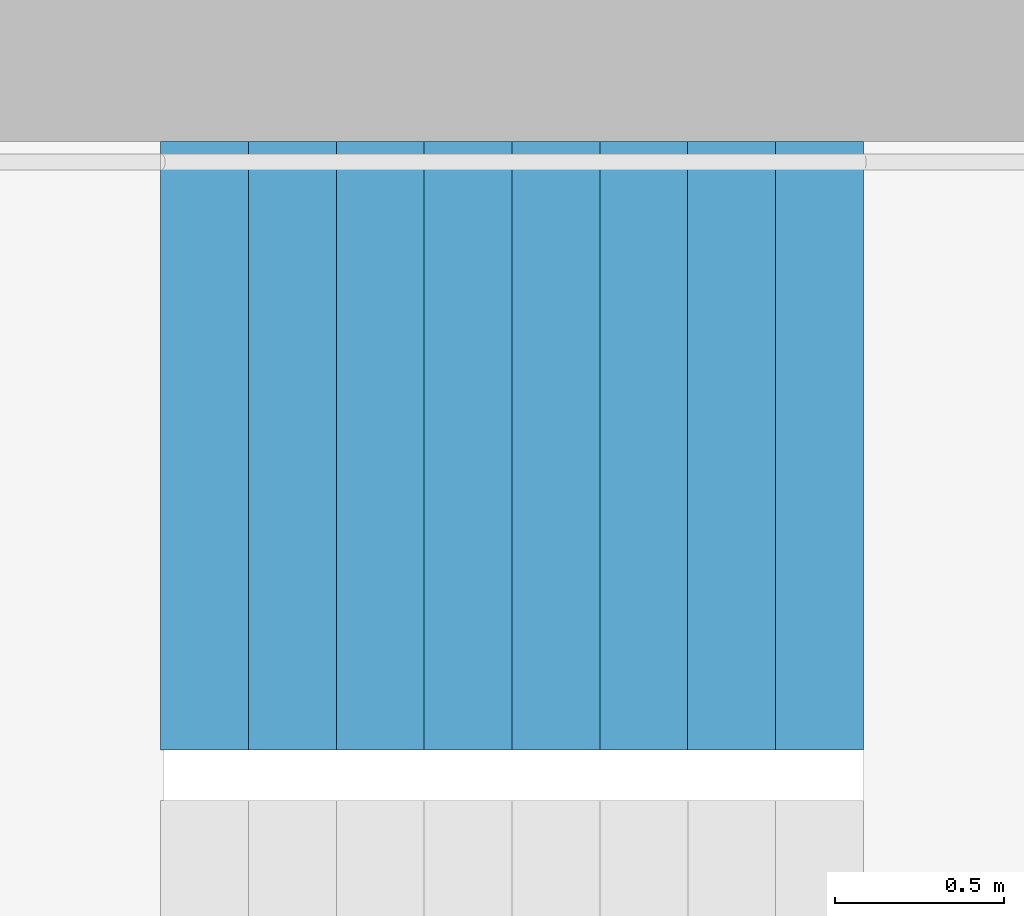
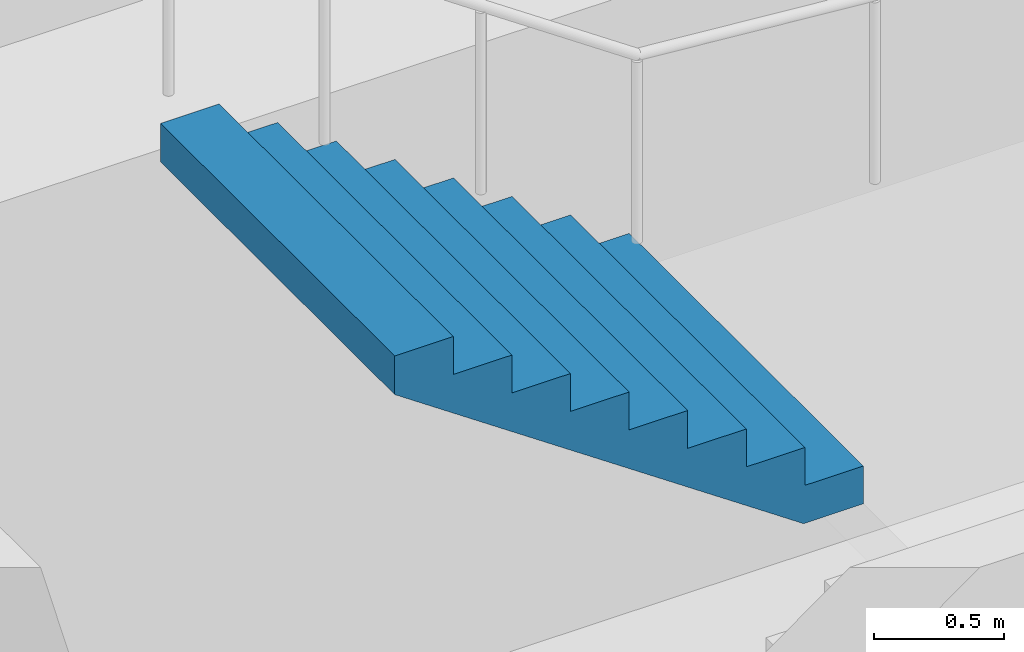
# One storey, part 21 of 26: 1 stair flight, 1 element without a shape of its own.
"""IFC4 building model written with IfcOpenShell, lengths in metres."""

from ifc_helpers import new_model, si_unit, direction, frame, origin, place, context, subcontext, project, spatial, triangles, material, type_object, element, aggregate, save


model = new_model("IFC4")

# Units and contexts
model_context = context("Model", 3, precision=1e-05, world=origin(), true_north=direction((0.0, 1.0)))
body_context = subcontext(model_context, "Body", "Model", "MODEL_VIEW")
ifc_project = project(units=[si_unit("LENGTHUNIT", "METRE"), si_unit("AREAUNIT", "SQUARE_METRE"), si_unit("VOLUMEUNIT", "CUBIC_METRE"), si_unit("PLANEANGLEUNIT", "RADIAN"), si_unit("MASSUNIT", "GRAM", prefix="KILO")], contexts=[model_context])

# Site, building, storey
site_placement = place(None, origin())
site = spatial("IfcSite", under=ifc_project, at=site_placement, CompositionType="ELEMENT")
building_placement = place(site_placement, origin())
building = spatial("IfcBuilding", under=site, at=building_placement, Name="Hakoniwa Tower and Hamabe Station Hall", CompositionType="ELEMENT")
storey_placement = place(building_placement, frame((0.0, 0.0, 172.60009765625)))
storey = spatial("IfcBuildingStorey", under=building, at=storey_placement, Name="L49", CompositionType="ELEMENT", Elevation=172.60009765625)

# Stair, stair flight
ifc_material_1 = material(Name="Concrete C40", Category="concrete")
stair_type = type_object("IfcStairType", Name="ESCAPE STAIR 1800", PredefinedType="HALF_TURN_STAIR", material=ifc_material_1)
stair_placement = place(storey_placement, origin())
stair = element("IfcStair", 1, at=stair_placement, inside=storey, type_object=stair_type, Name="Escape stair ST-1 L49", PredefinedType="HALF_TURN_STAIR")
ifc_material_2 = material(Name="Concrete C40", Category="concrete")
stair_flight_type = type_object("IfcStairFlightType", Name="STAIR FLIGHT 1800", PredefinedType="STRAIGHT", material=ifc_material_2)
stair_flight_placement = place(storey_placement, frame((-22.320068359375, 6.60009765625, 1.599853515625), z_axis=(0.0, 0.0, 1.0), x_axis=(-1.0, 0.0, 0.0)))
stair_flight = element("IfcStairFlight", 2, at=stair_flight_placement, type_object=stair_flight_type, Name="ST-1 flight 2", NumberOfRisers=9, NumberOfTreads=8, PredefinedType="STRAIGHT", RiserHeight=0.177777778, TreadLength=0.26, context=body_context, shape_type="Tessellation", body=[
    triangles([(0.0, 0.89990234375, 0.0), (0.260009765625, 0.89990234375, 0.0), (0.265625, 0.89990234375, 0.0), (0.52001953125, 0.89990234375, 0.174072265625), (0.780029296875, 0.89990234375, 0.351806640625), (1.0400390625, 0.89990234375, 0.529541015625), (1.300048828125, 0.89990234375, 0.707275390625), (1.56005859375, 0.89990234375, 0.885009765625), (1.820068359375, 0.89990234375, 1.062744140625), (2.080078125, 0.89990234375, 1.24072265625), (2.080078125, 0.89990234375, 1.422119140625), (1.820068359375, 0.89990234375, 1.422119140625), (1.820068359375, 0.89990234375, 1.244384765625), (1.56005859375, 0.89990234375, 1.244384765625), (1.56005859375, 0.89990234375, 1.066650390625), (1.300048828125, 0.89990234375, 1.066650390625), (1.300048828125, 0.89990234375, 0.888916015625), (1.0400390625, 0.89990234375, 0.888916015625), (1.0400390625, 0.89990234375, 0.711181640625), (0.780029296875, 0.89990234375, 0.711181640625), (0.780029296875, 0.89990234375, 0.533447265625), (0.52001953125, 0.89990234375, 0.533447265625), (0.52001953125, 0.89990234375, 0.35546875), (0.265625, 0.89990234375, 0.35546875), (0.260009765625, 0.89990234375, 0.35546875), (0.260009765625, 0.89990234375, 0.177734375), (0.0, 0.89990234375, 0.177734375), (0.0, 0.06005859375, 0.0), (0.260009765625, 0.06005859375, 0.0), (0.265625, 0.06005859375, 0.0), (0.52001953125, 0.06005859375, 0.174072265625), (0.780029296875, 0.06005859375, 0.351806640625), (1.0400390625, 0.06005859375, 0.529541015625), (1.300048828125, 0.06005859375, 0.707275390625), (1.56005859375, 0.06005859375, 0.885009765625), (1.820068359375, 0.06005859375, 1.062744140625), (2.080078125, 0.06005859375, 1.24072265625), (2.080078125, 0.06005859375, 1.422119140625), (1.820068359375, 0.06005859375, 1.422119140625), (1.820068359375, 0.06005859375, 1.244384765625), (1.56005859375, 0.06005859375, 1.244384765625), (1.56005859375, 0.06005859375, 1.066650390625), (1.300048828125, 0.06005859375, 1.066650390625), (1.300048828125, 0.06005859375, 0.888916015625), (1.0400390625, 0.06005859375, 0.888916015625), (1.0400390625, 0.06005859375, 0.711181640625), (0.780029296875, 0.06005859375, 0.711181640625), (0.780029296875, 0.06005859375, 0.533447265625), (0.52001953125, 0.06005859375, 0.533447265625), (0.52001953125, 0.06005859375, 0.35546875), (0.265625, 0.06005859375, 0.35546875), (0.260009765625, 0.06005859375, 0.35546875), (0.260009765625, 0.06005859375, 0.177734375), (0.0, 0.06005859375, 0.177734375), (0.0, 0.04296875, 0.0), (0.260009765625, 0.04296875, 0.0), (0.265625, 0.04296875, 0.0), (0.52001953125, 0.04296875, 0.174072265625), (0.780029296875, 0.04296875, 0.351806640625), (1.0400390625, 0.04296875, 0.529541015625), (1.300048828125, 0.04296875, 0.707275390625), (1.56005859375, 0.04296875, 0.885009765625), (1.820068359375, 0.04296875, 1.062744140625), (2.080078125, 0.04296875, 1.24072265625), (2.080078125, 0.04296875, 1.422119140625), (1.820068359375, 0.04296875, 1.422119140625), (1.820068359375, 0.04296875, 1.244384765625), (1.56005859375, 0.04296875, 1.244384765625), (1.56005859375, 0.04296875, 1.066650390625), (1.300048828125, 0.04296875, 1.066650390625), (1.300048828125, 0.04296875, 0.888916015625), (1.0400390625, 0.04296875, 0.888916015625), (1.0400390625, 0.04296875, 0.711181640625), (0.780029296875, 0.04296875, 0.711181640625), (0.780029296875, 0.04296875, 0.533447265625), (0.52001953125, 0.04296875, 0.533447265625), (0.52001953125, 0.04296875, 0.35546875), (0.265625, 0.04296875, 0.35546875), (0.260009765625, 0.04296875, 0.35546875), (0.260009765625, 0.04296875, 0.177734375), (0.0, 0.04296875, 0.177734375), (0.0, 0.025634765625, 0.0), (0.260009765625, 0.025634765625, 0.0), (0.265625, 0.025634765625, 0.0), (0.52001953125, 0.025634765625, 0.174072265625), (0.780029296875, 0.025634765625, 0.351806640625), (1.0400390625, 0.025634765625, 0.529541015625), (1.300048828125, 0.025634765625, 0.707275390625), (1.56005859375, 0.025634765625, 0.885009765625), (1.820068359375, 0.025634765625, 1.062744140625), (2.080078125, 0.025634765625, 1.24072265625), (2.080078125, 0.025634765625, 1.422119140625), (1.820068359375, 0.025634765625, 1.422119140625), (1.820068359375, 0.025634765625, 1.244384765625), (1.56005859375, 0.025634765625, 1.244384765625), (1.56005859375, 0.025634765625, 1.066650390625), (1.300048828125, 0.025634765625, 1.066650390625), (1.300048828125, 0.025634765625, 0.888916015625), (1.0400390625, 0.025634765625, 0.888916015625), (1.0400390625, 0.025634765625, 0.711181640625), (0.780029296875, 0.025634765625, 0.711181640625), (0.780029296875, 0.025634765625, 0.533447265625), (0.52001953125, 0.025634765625, 0.533447265625), (0.52001953125, 0.025634765625, 0.35546875), (0.265625, 0.025634765625, 0.35546875), (0.260009765625, 0.025634765625, 0.35546875), (0.260009765625, 0.025634765625, 0.177734375), (0.0, 0.025634765625, 0.177734375), (0.0, 0.008544921875, 0.0), (0.260009765625, 0.008544921875, 0.0), (0.265625, 0.008544921875, 0.0), (0.52001953125, 0.008544921875, 0.174072265625), (0.780029296875, 0.008544921875, 0.351806640625), (1.0400390625, 0.008544921875, 0.529541015625), (1.300048828125, 0.008544921875, 0.707275390625), (1.56005859375, 0.008544921875, 0.885009765625), (1.820068359375, 0.008544921875, 1.062744140625), (2.080078125, 0.008544921875, 1.24072265625), (2.080078125, 0.008544921875, 1.422119140625), (1.820068359375, 0.008544921875, 1.422119140625), (1.820068359375, 0.008544921875, 1.244384765625), (1.56005859375, 0.008544921875, 1.244384765625), (1.56005859375, 0.008544921875, 1.066650390625), (1.300048828125, 0.008544921875, 1.066650390625), (1.300048828125, 0.008544921875, 0.888916015625), (1.0400390625, 0.008544921875, 0.888916015625), (1.0400390625, 0.008544921875, 0.711181640625), (0.780029296875, 0.008544921875, 0.711181640625), (0.780029296875, 0.008544921875, 0.533447265625), (0.52001953125, 0.008544921875, 0.533447265625), (0.52001953125, 0.008544921875, 0.35546875), (0.265625, 0.008544921875, 0.35546875), (0.260009765625, 0.008544921875, 0.35546875), (0.260009765625, 0.008544921875, 0.177734375), (0.0, 0.008544921875, 0.177734375), (0.0, -0.008544921875, 0.0), (0.260009765625, -0.008544921875, 0.0), (0.265625, -0.008544921875, 0.0), (0.52001953125, -0.008544921875, 0.174072265625), (0.780029296875, -0.008544921875, 0.351806640625), (1.0400390625, -0.008544921875, 0.529541015625), (1.300048828125, -0.008544921875, 0.707275390625), (1.56005859375, -0.008544921875, 0.885009765625), (1.820068359375, -0.008544921875, 1.062744140625), (2.080078125, -0.008544921875, 1.24072265625), (2.080078125, -0.008544921875, 1.422119140625), (1.820068359375, -0.008544921875, 1.422119140625), (1.820068359375, -0.008544921875, 1.244384765625), (1.56005859375, -0.008544921875, 1.244384765625), (1.56005859375, -0.008544921875, 1.066650390625), (1.300048828125, -0.008544921875, 1.066650390625), (1.300048828125, -0.008544921875, 0.888916015625), (1.0400390625, -0.008544921875, 0.888916015625), (1.0400390625, -0.008544921875, 0.711181640625), (0.780029296875, -0.008544921875, 0.711181640625), (0.780029296875, -0.008544921875, 0.533447265625), (0.52001953125, -0.008544921875, 0.533447265625), (0.52001953125, -0.008544921875, 0.35546875), (0.265625, -0.008544921875, 0.35546875), (0.260009765625, -0.008544921875, 0.35546875), (0.260009765625, -0.008544921875, 0.177734375), (0.0, -0.008544921875, 0.177734375), (0.0, -0.025634765625, 0.0), (0.260009765625, -0.025634765625, 0.0), (0.265625, -0.025634765625, 0.0), (0.52001953125, -0.025634765625, 0.174072265625), (0.780029296875, -0.025634765625, 0.351806640625), (1.0400390625, -0.025634765625, 0.529541015625), (1.300048828125, -0.025634765625, 0.707275390625), (1.56005859375, -0.025634765625, 0.885009765625), (1.820068359375, -0.025634765625, 1.062744140625), (2.080078125, -0.025634765625, 1.24072265625), (2.080078125, -0.025634765625, 1.422119140625), (1.820068359375, -0.025634765625, 1.422119140625), (1.820068359375, -0.025634765625, 1.244384765625), (1.56005859375, -0.025634765625, 1.244384765625), (1.56005859375, -0.025634765625, 1.066650390625), (1.300048828125, -0.025634765625, 1.066650390625), (1.300048828125, -0.025634765625, 0.888916015625), (1.0400390625, -0.025634765625, 0.888916015625), (1.0400390625, -0.025634765625, 0.711181640625), (0.780029296875, -0.025634765625, 0.711181640625), (0.780029296875, -0.025634765625, 0.533447265625), (0.52001953125, -0.025634765625, 0.533447265625), (0.52001953125, -0.025634765625, 0.35546875), (0.265625, -0.025634765625, 0.35546875), (0.260009765625, -0.025634765625, 0.35546875), (0.260009765625, -0.025634765625, 0.177734375), (0.0, -0.025634765625, 0.177734375), (0.0, -0.04296875, 0.0), (0.260009765625, -0.04296875, 0.0), (0.265625, -0.04296875, 0.0), (0.52001953125, -0.04296875, 0.174072265625), (0.780029296875, -0.04296875, 0.351806640625), (1.0400390625, -0.04296875, 0.529541015625), (1.300048828125, -0.04296875, 0.707275390625), (1.56005859375, -0.04296875, 0.885009765625), (1.820068359375, -0.04296875, 1.062744140625), (2.080078125, -0.04296875, 1.24072265625), (2.080078125, -0.04296875, 1.422119140625), (1.820068359375, -0.04296875, 1.422119140625), (1.820068359375, -0.04296875, 1.244384765625), (1.56005859375, -0.04296875, 1.244384765625), (1.56005859375, -0.04296875, 1.066650390625), (1.300048828125, -0.04296875, 1.066650390625), (1.300048828125, -0.04296875, 0.888916015625), (1.0400390625, -0.04296875, 0.888916015625), (1.0400390625, -0.04296875, 0.711181640625), (0.780029296875, -0.04296875, 0.711181640625), (0.780029296875, -0.04296875, 0.533447265625), (0.52001953125, -0.04296875, 0.533447265625), (0.52001953125, -0.04296875, 0.35546875), (0.265625, -0.04296875, 0.35546875), (0.260009765625, -0.04296875, 0.35546875), (0.260009765625, -0.04296875, 0.177734375), (0.0, -0.04296875, 0.177734375), (0.0, -0.06005859375, 0.0), (0.260009765625, -0.06005859375, 0.0), (0.265625, -0.06005859375, 0.0), (0.52001953125, -0.06005859375, 0.174072265625), (0.780029296875, -0.06005859375, 0.351806640625), (1.0400390625, -0.06005859375, 0.529541015625), (1.300048828125, -0.06005859375, 0.707275390625), (1.56005859375, -0.06005859375, 0.885009765625), (1.820068359375, -0.06005859375, 1.062744140625), (2.080078125, -0.06005859375, 1.24072265625), (2.080078125, -0.06005859375, 1.422119140625), (1.820068359375, -0.06005859375, 1.422119140625), (1.820068359375, -0.06005859375, 1.244384765625), (1.56005859375, -0.06005859375, 1.244384765625), (1.56005859375, -0.06005859375, 1.066650390625), (1.300048828125, -0.06005859375, 1.066650390625), (1.300048828125, -0.06005859375, 0.888916015625), (1.0400390625, -0.06005859375, 0.888916015625), (1.0400390625, -0.06005859375, 0.711181640625), (0.780029296875, -0.06005859375, 0.711181640625), (0.780029296875, -0.06005859375, 0.533447265625), (0.52001953125, -0.06005859375, 0.533447265625), (0.52001953125, -0.06005859375, 0.35546875), (0.265625, -0.06005859375, 0.35546875), (0.260009765625, -0.06005859375, 0.35546875), (0.260009765625, -0.06005859375, 0.177734375), (0.0, -0.06005859375, 0.177734375), (0.0, -0.89990234375, 0.0), (0.260009765625, -0.89990234375, 0.0), (0.265625, -0.89990234375, 0.0), (0.52001953125, -0.89990234375, 0.174072265625), (0.780029296875, -0.89990234375, 0.351806640625), (1.0400390625, -0.89990234375, 0.529541015625), (1.300048828125, -0.89990234375, 0.707275390625), (1.56005859375, -0.89990234375, 0.885009765625), (1.820068359375, -0.89990234375, 1.062744140625), (2.080078125, -0.89990234375, 1.24072265625), (2.080078125, -0.89990234375, 1.422119140625), (1.820068359375, -0.89990234375, 1.422119140625), (1.820068359375, -0.89990234375, 1.244384765625), (1.56005859375, -0.89990234375, 1.244384765625), (1.56005859375, -0.89990234375, 1.066650390625), (1.300048828125, -0.89990234375, 1.066650390625), (1.300048828125, -0.89990234375, 0.888916015625), (1.0400390625, -0.89990234375, 0.888916015625), (1.0400390625, -0.89990234375, 0.711181640625), (0.780029296875, -0.89990234375, 0.711181640625), (0.780029296875, -0.89990234375, 0.533447265625), (0.52001953125, -0.89990234375, 0.533447265625), (0.52001953125, -0.89990234375, 0.35546875), (0.265625, -0.89990234375, 0.35546875), (0.260009765625, -0.89990234375, 0.35546875), (0.260009765625, -0.89990234375, 0.177734375), (0.0, -0.89990234375, 0.177734375)], [[2, 27, 26], [245, 269, 270], [2, 1, 27], [245, 270, 244], [3, 25, 24], [246, 267, 268], [3, 26, 25], [246, 268, 269], [3, 2, 26], [246, 269, 245], [4, 24, 23], [247, 266, 267], [4, 3, 24], [247, 267, 246], [5, 22, 21], [248, 264, 265], [5, 23, 22], [248, 265, 266], [5, 4, 23], [248, 266, 247], [6, 20, 19], [249, 262, 263], [6, 21, 20], [249, 263, 264], [6, 5, 21], [249, 264, 248], [7, 18, 17], [250, 260, 261], [7, 19, 18], [250, 261, 262], [7, 6, 19], [250, 262, 249], [8, 16, 15], [251, 258, 259], [8, 17, 16], [251, 259, 260], [8, 7, 17], [251, 260, 250], [9, 14, 13], [252, 256, 257], [9, 15, 14], [252, 257, 258], [9, 8, 15], [252, 258, 251], [10, 12, 11], [253, 254, 255], [10, 13, 12], [253, 255, 256], [10, 9, 13], [253, 256, 252], [1, 2, 29], [1, 29, 28], [28, 29, 56], [28, 56, 55], [55, 56, 83], [55, 83, 82], [82, 83, 110], [82, 110, 109], [109, 110, 137], [109, 137, 136], [136, 137, 164], [136, 164, 163], [163, 164, 191], [163, 191, 190], [190, 191, 218], [190, 218, 217], [217, 218, 245], [217, 245, 244], [2, 3, 30], [2, 30, 29], [29, 30, 57], [29, 57, 56], [56, 57, 84], [56, 84, 83], [83, 84, 111], [83, 111, 110], [110, 111, 138], [110, 138, 137], [137, 138, 165], [137, 165, 164], [164, 165, 192], [164, 192, 191], [191, 192, 219], [191, 219, 218], [218, 219, 246], [218, 246, 245], [3, 4, 31], [3, 31, 30], [30, 31, 58], [30, 58, 57], [57, 58, 85], [57, 85, 84], [84, 85, 112], [84, 112, 111], [111, 112, 139], [111, 139, 138], [138, 139, 166], [138, 166, 165], [165, 166, 193], [165, 193, 192], [192, 193, 220], [192, 220, 219], [219, 220, 247], [219, 247, 246], [4, 5, 32], [4, 32, 31], [31, 32, 59], [31, 59, 58], [58, 59, 86], [58, 86, 85], [85, 86, 113], [85, 113, 112], [112, 113, 140], [112, 140, 139], [139, 140, 167], [139, 167, 166], [166, 167, 194], [166, 194, 193], [193, 194, 221], [193, 221, 220], [220, 221, 248], [220, 248, 247], [5, 6, 33], [5, 33, 32], [32, 33, 60], [32, 60, 59], [59, 60, 87], [59, 87, 86], [86, 87, 114], [86, 114, 113], [113, 114, 141], [113, 141, 140], [140, 141, 168], [140, 168, 167], [167, 168, 195], [167, 195, 194], [194, 195, 222], [194, 222, 221], [221, 222, 249], [221, 249, 248], [6, 7, 34], [6, 34, 33], [33, 34, 61], [33, 61, 60], [60, 61, 88], [60, 88, 87], [87, 88, 115], [87, 115, 114], [114, 115, 142], [114, 142, 141], [141, 142, 169], [141, 169, 168], [168, 169, 196], [168, 196, 195], [195, 196, 223], [195, 223, 222], [222, 223, 250], [222, 250, 249], [7, 8, 35], [7, 35, 34], [34, 35, 62], [34, 62, 61], [61, 62, 89], [61, 89, 88], [88, 89, 116], [88, 116, 115], [115, 116, 143], [115, 143, 142], [142, 143, 170], [142, 170, 169], [169, 170, 197], [169, 197, 196], [196, 197, 224], [196, 224, 223], [223, 224, 251], [223, 251, 250], [8, 9, 36], [8, 36, 35], [35, 36, 63], [35, 63, 62], [62, 63, 90], [62, 90, 89], [89, 90, 117], [89, 117, 116], [116, 117, 144], [116, 144, 143], [143, 144, 171], [143, 171, 170], [170, 171, 198], [170, 198, 197], [197, 198, 225], [197, 225, 224], [224, 225, 252], [224, 252, 251], [9, 10, 37], [9, 37, 36], [36, 37, 64], [36, 64, 63], [63, 64, 91], [63, 91, 90], [90, 91, 118], [90, 118, 117], [117, 118, 145], [117, 145, 144], [144, 145, 172], [144, 172, 171], [171, 172, 199], [171, 199, 198], [198, 199, 226], [198, 226, 225], [225, 226, 253], [225, 253, 252], [10, 11, 38], [10, 38, 37], [37, 38, 65], [37, 65, 64], [64, 65, 92], [64, 92, 91], [91, 92, 119], [91, 119, 118], [118, 119, 146], [118, 146, 145], [145, 146, 173], [145, 173, 172], [172, 173, 200], [172, 200, 199], [199, 200, 227], [199, 227, 226], [226, 227, 254], [226, 254, 253], [11, 12, 39], [11, 39, 38], [38, 39, 66], [38, 66, 65], [65, 66, 93], [65, 93, 92], [92, 93, 120], [92, 120, 119], [119, 120, 147], [119, 147, 146], [146, 147, 174], [146, 174, 173], [173, 174, 201], [173, 201, 200], [200, 201, 228], [200, 228, 227], [227, 228, 255], [227, 255, 254], [12, 13, 40], [12, 40, 39], [39, 40, 67], [39, 67, 66], [66, 67, 94], [66, 94, 93], [93, 94, 121], [93, 121, 120], [120, 121, 148], [120, 148, 147], [147, 148, 175], [147, 175, 174], [174, 175, 202], [174, 202, 201], [201, 202, 229], [201, 229, 228], [228, 229, 256], [228, 256, 255], [13, 14, 41], [13, 41, 40], [40, 41, 68], [40, 68, 67], [67, 68, 95], [67, 95, 94], [94, 95, 122], [94, 122, 121], [121, 122, 149], [121, 149, 148], [148, 149, 176], [148, 176, 175], [175, 176, 203], [175, 203, 202], [202, 203, 230], [202, 230, 229], [229, 230, 257], [229, 257, 256], [14, 15, 42], [14, 42, 41], [41, 42, 69], [41, 69, 68], [68, 69, 96], [68, 96, 95], [95, 96, 123], [95, 123, 122], [122, 123, 150], [122, 150, 149], [149, 150, 177], [149, 177, 176], [176, 177, 204], [176, 204, 203], [203, 204, 231], [203, 231, 230], [230, 231, 258], [230, 258, 257], [15, 16, 43], [15, 43, 42], [42, 43, 70], [42, 70, 69], [69, 70, 97], [69, 97, 96], [96, 97, 124], [96, 124, 123], [123, 124, 151], [123, 151, 150], [150, 151, 178], [150, 178, 177], [177, 178, 205], [177, 205, 204], [204, 205, 232], [204, 232, 231], [231, 232, 259], [231, 259, 258], [16, 17, 44], [16, 44, 43], [43, 44, 71], [43, 71, 70], [70, 71, 98], [70, 98, 97], [97, 98, 125], [97, 125, 124], [124, 125, 152], [124, 152, 151], [151, 152, 179], [151, 179, 178], [178, 179, 206], [178, 206, 205], [205, 206, 233], [205, 233, 232], [232, 233, 260], [232, 260, 259], [17, 18, 45], [17, 45, 44], [44, 45, 72], [44, 72, 71], [71, 72, 99], [71, 99, 98], [98, 99, 126], [98, 126, 125], [125, 126, 153], [125, 153, 152], [152, 153, 180], [152, 180, 179], [179, 180, 207], [179, 207, 206], [206, 207, 234], [206, 234, 233], [233, 234, 261], [233, 261, 260], [18, 19, 46], [18, 46, 45], [45, 46, 73], [45, 73, 72], [72, 73, 100], [72, 100, 99], [99, 100, 127], [99, 127, 126], [126, 127, 154], [126, 154, 153], [153, 154, 181], [153, 181, 180], [180, 181, 208], [180, 208, 207], [207, 208, 235], [207, 235, 234], [234, 235, 262], [234, 262, 261], [19, 20, 47], [19, 47, 46], [46, 47, 74], [46, 74, 73], [73, 74, 101], [73, 101, 100], [100, 101, 128], [100, 128, 127], [127, 128, 155], [127, 155, 154], [154, 155, 182], [154, 182, 181], [181, 182, 209], [181, 209, 208], [208, 209, 236], [208, 236, 235], [235, 236, 263], [235, 263, 262], [20, 21, 48], [20, 48, 47], [47, 48, 75], [47, 75, 74], [74, 75, 102], [74, 102, 101], [101, 102, 129], [101, 129, 128], [128, 129, 156], [128, 156, 155], [155, 156, 183], [155, 183, 182], [182, 183, 210], [182, 210, 209], [209, 210, 237], [209, 237, 236], [236, 237, 264], [236, 264, 263], [21, 22, 49], [21, 49, 48], [48, 49, 76], [48, 76, 75], [75, 76, 103], [75, 103, 102], [102, 103, 130], [102, 130, 129], [129, 130, 157], [129, 157, 156], [156, 157, 184], [156, 184, 183], [183, 184, 211], [183, 211, 210], [210, 211, 238], [210, 238, 237], [237, 238, 265], [237, 265, 264], [22, 23, 50], [22, 50, 49], [49, 50, 77], [49, 77, 76], [76, 77, 104], [76, 104, 103], [103, 104, 131], [103, 131, 130], [130, 131, 158], [130, 158, 157], [157, 158, 185], [157, 185, 184], [184, 185, 212], [184, 212, 211], [211, 212, 239], [211, 239, 238], [238, 239, 266], [238, 266, 265], [23, 24, 51], [23, 51, 50], [50, 51, 78], [50, 78, 77], [77, 78, 105], [77, 105, 104], [104, 105, 132], [104, 132, 131], [131, 132, 159], [131, 159, 158], [158, 159, 186], [158, 186, 185], [185, 186, 213], [185, 213, 212], [212, 213, 240], [212, 240, 239], [239, 240, 267], [239, 267, 266], [24, 25, 52], [24, 52, 51], [51, 52, 79], [51, 79, 78], [78, 79, 106], [78, 106, 105], [105, 106, 133], [105, 133, 132], [132, 133, 160], [132, 160, 159], [159, 160, 187], [159, 187, 186], [186, 187, 214], [186, 214, 213], [213, 214, 241], [213, 241, 240], [240, 241, 268], [240, 268, 267], [25, 26, 53], [25, 53, 52], [52, 53, 80], [52, 80, 79], [79, 80, 107], [79, 107, 106], [106, 107, 134], [106, 134, 133], [133, 134, 161], [133, 161, 160], [160, 161, 188], [160, 188, 187], [187, 188, 215], [187, 215, 214], [214, 215, 242], [214, 242, 241], [241, 242, 269], [241, 269, 268], [26, 27, 54], [26, 54, 53], [53, 54, 81], [53, 81, 80], [80, 81, 108], [80, 108, 107], [107, 108, 135], [107, 135, 134], [134, 135, 162], [134, 162, 161], [161, 162, 189], [161, 189, 188], [188, 189, 216], [188, 216, 215], [215, 216, 243], [215, 243, 242], [242, 243, 270], [242, 270, 269], [27, 1, 28], [27, 28, 54], [54, 28, 55], [54, 55, 81], [81, 55, 82], [81, 82, 108], [108, 82, 109], [108, 109, 135], [135, 109, 136], [135, 136, 162], [162, 136, 163], [162, 163, 189], [189, 163, 190], [189, 190, 216], [216, 190, 217], [216, 217, 243], [243, 217, 244], [243, 244, 270]], closed=True),
])
aggregate(stair, [stair_flight])

save(model, "model.ifc")
